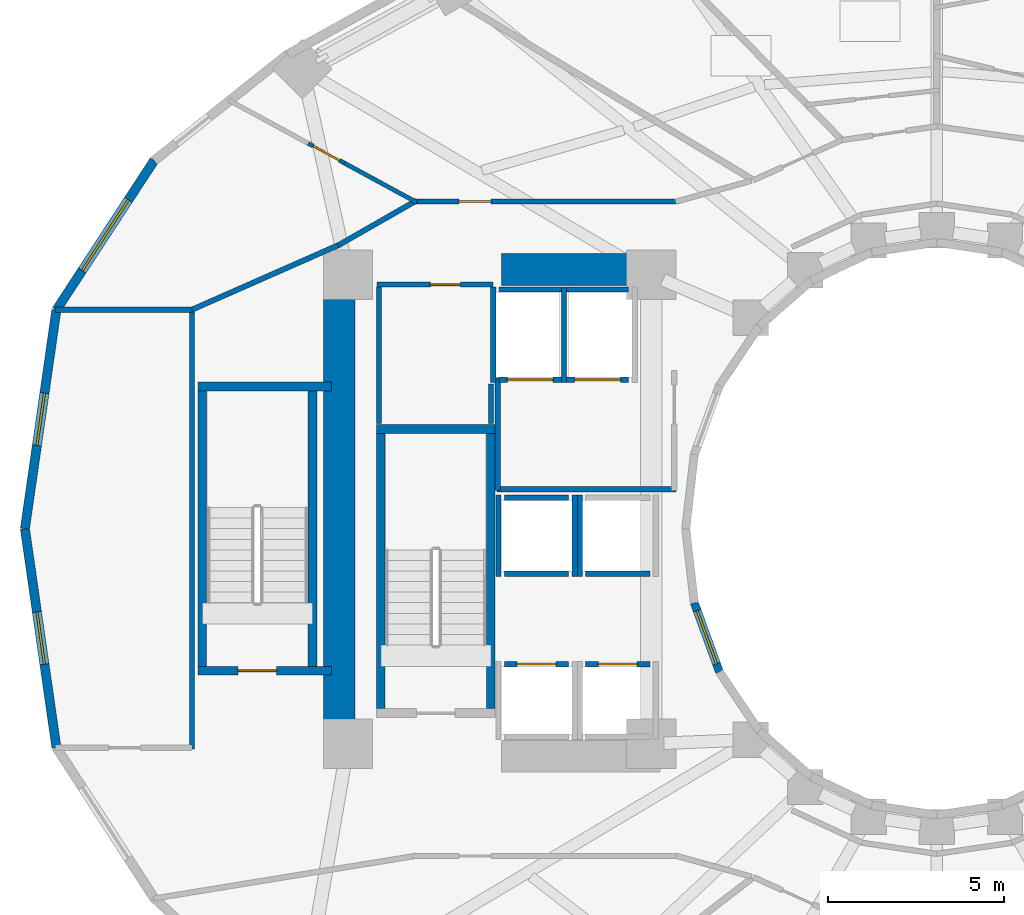
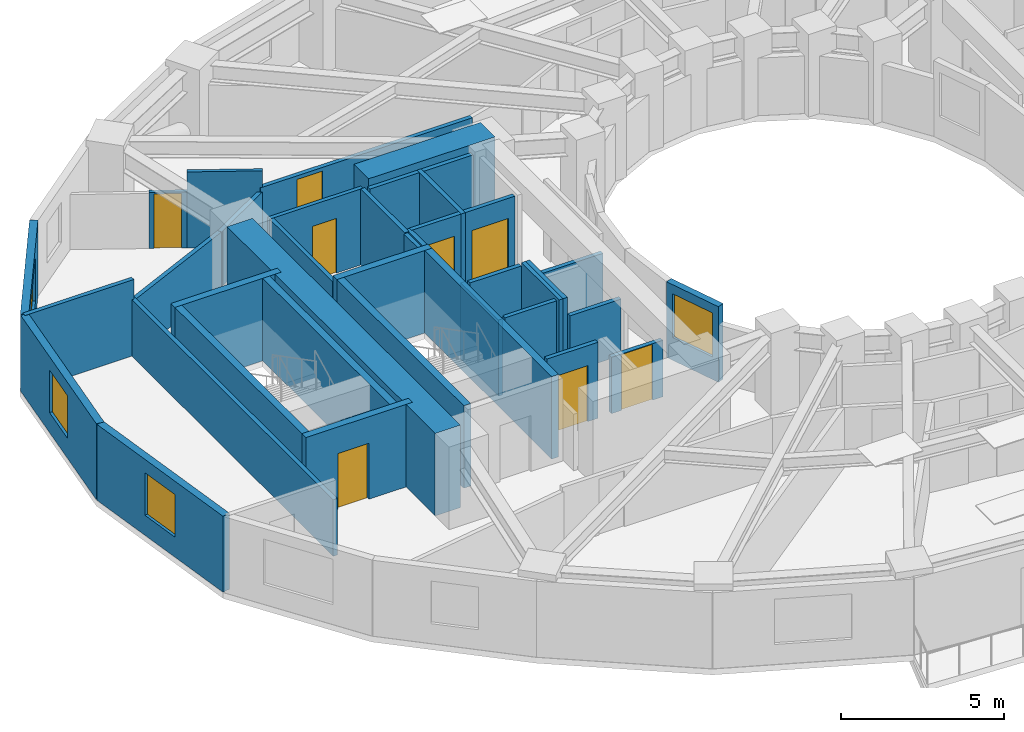
# One storey, part 4 of 10: 39 walls, 8 doors, 4 windows, 12 openings.
"""IFC4 building model written with IfcOpenShell, lengths in metres."""

from ifc_helpers import new_model, si_unit, direction, frame, frame_2d, origin, place, context, subcontext, project, spatial, rectangle, extrude, material, layer, layer_set, type_object, element, fill, save


model = new_model("IFC4")

# Units and contexts
model_context = context("Model", 3, precision=1e-05, world=origin(), true_north=direction((0.0, 1.0)))
body_context = subcontext(model_context, "Body", "Model", "MODEL_VIEW")
ifc_project = project(units=[si_unit("LENGTHUNIT", "METRE"), si_unit("AREAUNIT", "SQUARE_METRE"), si_unit("VOLUMEUNIT", "CUBIC_METRE"), si_unit("PLANEANGLEUNIT", "RADIAN"), si_unit("MASSUNIT", "GRAM", prefix="KILO")], contexts=[model_context])

# Site, building, storey
site_placement = place(None, origin())
site = spatial("IfcSite", under=ifc_project, at=site_placement, CompositionType="ELEMENT")
building_placement = place(site_placement, origin())
building = spatial("IfcBuilding", under=site, at=building_placement, Name="Solvane Sanctuary Tower", CompositionType="ELEMENT")
storey_placement = place(building_placement, frame((0.0, 0.0, 58.60009765625)))
storey = spatial("IfcBuildingStorey", under=building, at=storey_placement, Name="L17", CompositionType="ELEMENT", Elevation=58.60009765625)

# Walls
ifc_material_1 = material(Name="Concrete C70/85", Category="concrete")
ifc_layer_1 = layer(ifc_material_1, 0.89990234375, Name="Concrete C70/85")
ifc_layer_set_1 = layer_set([ifc_layer_1], Name="Concrete C70/85")
wall_type_1 = type_object("IfcWallType", Name="Wall W-CORE-900", PredefinedType="SHEAR", material=ifc_layer_set_1)
wall_1_placement = place(storey_placement, frame((15.050048828125, 17.050048828125, 0.0), z_axis=(0.0, 0.0, 1.0), x_axis=(0.0, 1.0, 0.0)))
element("IfcWall", 1, at=wall_1_placement, inside=storey, type_object=wall_type_1, Name="L17 Core Shear Wall WC-W", PredefinedType="SHEAR", context=body_context, shape_type="SweptSolid", body=[
    extrude(rectangle(XDim=12.800048828125, YDim=0.89990234375, at=frame_2d((6.39990234375, 0.0))), origin(), (0.0, 0.0, 1.0), 3.099853515625),
])
wall_2_placement = place(storey_placement, frame((19.64990234375, 30.35009765625, 0.0), z_axis=(0.0, 0.0, 1.0), x_axis=(1.0, 0.0, 0.0)))
element("IfcWall", 2, at=wall_2_placement, inside=storey, type_object=wall_type_1, Name="L17 Core Shear Wall WC-N", PredefinedType="SHEAR", context=body_context, shape_type="SweptSolid", body=[
    extrude(rectangle(XDim=4.5, YDim=0.89990234375, at=frame_2d((2.25, 0.0))), origin(), (0.0, 0.0, 1.0), 3.099853515625),
])
ifc_material_2 = material(Name="Acoustic Gypsum Partition Board")
ifc_layer_2 = layer(ifc_material_2, 0.14990234375, Name="Acoustic Gypsum Partition Board")
ifc_layer_set_2 = layer_set([ifc_layer_2], Name="Acoustic Gypsum Partition Board")
wall_type_2 = type_object("IfcWallType", Name="Wall W-CORR-150", PredefinedType="PARTITIONING", material=ifc_layer_set_2)
wall_3_placement = place(storey_placement, frame((19.52001953125, 24.1201171875, 0.0), z_axis=(0.0, 0.0, 1.0), x_axis=(1.0, 0.0, 0.0)))
element("IfcWall", 3, at=wall_3_placement, inside=storey, type_object=wall_type_2, Name="L17 West Firefighting Lobby South Wall", PredefinedType="PARTITIONING", context=body_context, shape_type="SweptSolid", body=[
    extrude(rectangle(XDim=5.080078125, YDim=0.14990234375, at=frame_2d((2.5400390625, 0.0))), origin(), (0.0, 0.0, 1.0), 2.119873046875),
])
wall_4_placement = place(storey_placement, frame((19.550048828125, 24.080078125, 0.0), z_axis=(0.0, 0.0, 1.0), x_axis=(0.0, 1.0, 0.0)))
element("IfcWall", 4, at=wall_4_placement, inside=storey, type_object=wall_type_2, Name="L17 West Firefighting Lobby West Wall", PredefinedType="PARTITIONING", context=body_context, shape_type="SweptSolid", body=[
    extrude(rectangle(XDim=3.199951171875, YDim=0.14990234375, at=frame_2d((1.60009765625, 0.0))), origin(), (0.0, 0.0, 1.0), 2.85498046875),
])
wall_5_placement = place(storey_placement, frame((10.8798828125, 16.748291015625, 0.0), z_axis=(0.0, 0.0, 1.0), x_axis=(0.0, 1.0, 0.0)))
element("IfcWall", 5, at=wall_5_placement, inside=storey, type_object=wall_type_2, Name="L17 West Shoulder Back Wall", PredefinedType="PARTITIONING", context=body_context, shape_type="SweptSolid", body=[
    extrude(rectangle(XDim=12.50341796875, YDim=0.14990234375, at=frame_2d((6.251708984375, 0.0))), origin(), (0.0, 0.0, 1.0), 2.119873046875),
])
wall_6_placement = place(storey_placement, frame((7.013671875, 29.211669921875, 0.0), z_axis=(0.0, 0.0, 1.0), x_axis=(1.0, 0.0, 0.0)))
element("IfcWall", 6, at=wall_6_placement, inside=storey, type_object=wall_type_2, Name="L17 West Shoulder North Wall", PredefinedType="PARTITIONING", context=body_context, shape_type="SweptSolid", body=[
    extrude(rectangle(XDim=3.8662109375, YDim=0.14990234375, at=frame_2d((1.93310546875, 0.0))), origin(), (0.0, 0.0, 1.0), 2.85498046875),
])
wall_7_placement = place(storey_placement, frame((10.843505859375, 29.195556640625, 0.0), z_axis=(0.0, 0.0, 1.0), x_axis=(0.91502756289, 0.403391322604, 0.0)))
element("IfcWall", 7, at=wall_7_placement, inside=storey, type_object=wall_type_2, Name="L17 NW Corner Closer 1", PredefinedType="PARTITIONING", context=body_context, shape_type="SweptSolid", body=[
    extrude(rectangle(XDim=4.63720703125, YDim=0.14990234375, at=frame_2d((2.318603515625, 0.0))), origin(), (0.0, 0.0, 1.0), 2.06884765625),
])

# Wall, opening, door
wall_8_placement = place(storey_placement, frame((17.14990234375, 32.280029296875, 0.0), z_axis=(0.0, 0.0, 1.0), x_axis=(1.0, 0.0, 0.0)))
wall_8 = element("IfcWall", 8, at=wall_8_placement, inside=storey, type_object=wall_type_2, Name="L17 NW Corner Corridor Wall", PredefinedType="PARTITIONING", context=body_context, shape_type="SweptSolid", body=[
    extrude(rectangle(XDim=7.52001953125, YDim=0.14990234375, at=frame_2d((3.760009765625, 0.0))), origin(), (0.0, 0.0, 1.0), 2.23681640625),
])
opening_1_placement = place(wall_8_placement, frame((1.300048828125, 0.0, 0.0)))
opening_1 = element("IfcOpeningElement", 9, at=opening_1_placement, cuts=wall_8, Name="Opening D-L17-16", PredefinedType="OPENING", context=body_context, shape_type="SweptSolid", body=[
    extrude(rectangle(XDim=0.89990234375, YDim=2.10009765625, at=frame_2d((0.449951171875, 1.050048828125))), frame((0.0, 0.0849609375, 0.0), z_axis=(0.0, -1.0, 0.0), x_axis=(1.0, 0.0, 0.0)), (0.0, 0.0, 1.0), 0.169921875),
])
ifc_material_3 = material(Name="Engineered Tropical Hardwood", Category="wood")
door_type_1 = type_object("IfcDoorType", Name="Door D-WET-900", OperationType="NOTDEFINED", PredefinedType="DOOR", material=ifc_material_3)
door_1_placement = place(opening_1_placement, origin())
door_1 = element("IfcDoor", 10, at=door_1_placement, inside=storey, type_object=door_type_1, Name="L17 NW Corner Salon Door", OperationType="SINGLE_SWING_LEFT", OverallHeight=2.10009765625, OverallWidth=0.89990234375, PredefinedType="DOOR", context=body_context, shape_type="SweptSolid", body=[
    extrude(rectangle(XDim=0.89990234375, YDim=2.10009765625, at=frame_2d((0.449951171875, 1.050048828125))), frame((0.0, 0.02490234375, 0.0), z_axis=(0.0, -1.0, 0.0), x_axis=(1.0, 0.0, 0.0)), (0.0, 0.0, 1.0), 0.050048828125),
])
fill(opening_1, door_1)

# Wall
wall_9_placement = place(storey_placement, frame((17.243408203125, 32.3046875, 0.0), z_axis=(0.0, 0.0, 1.0), x_axis=(-0.867991349648, -0.496579315857, 0.0)))
element("IfcWall", 11, at=wall_9_placement, inside=storey, type_object=wall_type_2, Name="L17 NW Corner Wing Wall", PredefinedType="PARTITIONING", context=body_context, shape_type="SweptSolid", body=[
    extrude(rectangle(XDim=2.56689453125, YDim=0.14990234375, at=frame_2d((1.283447265625, 0.0))), origin(), (0.0, 0.0, 1.0), 2.06884765625),
])

# Wall, opening, window
ifc_material_4 = material(Name="Precast concrete C40/50", Category="concrete")
ifc_layer_3 = layer(ifc_material_4, 0.260009765625, Name="Precast concrete C40/50")
ifc_layer_set_3 = layer_set([ifc_layer_3], Name="Precast concrete C40/50")
wall_type_3 = type_object("IfcWallType", Name="Wall W-EXT-250", PredefinedType="STANDARD", material=ifc_layer_set_3)
wall_10_placement = place(storey_placement, frame((9.80615234375, 33.44091796875, 0.0), z_axis=(0.0, 0.0, 1.0), x_axis=(-0.547702757047, -0.836672988642, 0.0)))
wall_10 = element("IfcWall", 12, at=wall_10_placement, inside=storey, type_object=wall_type_3, Name="L17 Ceramic-Printed Facade Wall 10", PredefinedType="STANDARD", context=body_context, shape_type="SweptSolid", body=[
    extrude(rectangle(XDim=5.0625, YDim=0.260009765625, at=frame_2d((2.53125, 0.0))), origin(), (0.0, 0.0, 1.0), 2.849853515625),
])
opening_2_placement = place(wall_10_placement, frame((1.331298828125, 0.0, 0.75)))
opening_2 = element("IfcOpeningElement", 13, at=opening_2_placement, cuts=wall_10, Name="Opening WN-RIB-2400", PredefinedType="OPENING", context=body_context, shape_type="SweptSolid", body=[
    extrude(rectangle(XDim=2.39990234375, YDim=1.699951171875, at=frame_2d((1.199951171875, 0.85009765625))), frame((0.0, 0.139892578125, 0.0), z_axis=(0.0, -1.0, 0.0), x_axis=(1.0, 0.0, 0.0)), (0.0, 0.0, 1.0), 0.280029296875),
])
ifc_material_5 = material(Name="Dark Ceramic-Fritted Low-E Glass", Category="glass")
window_type_1 = type_object("IfcWindowType", Name="Window WN-RIB-2400", PartitioningType="SINGLE_PANEL", PredefinedType="WINDOW", material=ifc_material_5)
window_1_placement = place(opening_2_placement, origin())
window_1 = element("IfcWindow", 14, at=window_1_placement, inside=storey, type_object=window_type_1, Name="L17 Operable Facade Window 10", OverallHeight=1.699951171875, OverallWidth=2.39990234375, PartitioningType="SINGLE_PANEL", PredefinedType="WINDOW", context=body_context, shape_type="SweptSolid", body=[
    extrude(rectangle(XDim=2.39990234375, YDim=1.699951171875, at=frame_2d((1.199951171875, 0.85009765625))), frame((0.0, 0.030029296875, 0.0), z_axis=(0.0, -1.0, 0.0), x_axis=(1.0, 0.0, 0.0)), (0.0, 0.0, 1.0), 0.06005859375),
])
fill(opening_2, window_1)

wall_11_placement = place(storey_placement, frame((7.033447265625, 29.205322265625, 0.0), z_axis=(0.0, 0.0, 1.0), x_axis=(-0.142528001686, -0.989790770181, 0.0)))
wall_11 = element("IfcWall", 15, at=wall_11_placement, inside=storey, type_object=wall_type_3, Name="L17 Ceramic-Printed Facade Wall 11", PredefinedType="STANDARD", context=body_context, shape_type="SweptSolid", body=[
    extrude(rectangle(XDim=6.269287109375, YDim=0.260009765625, at=frame_2d((3.134765625, 0.0))), origin(), (0.0, 0.0, 1.0), 2.849853515625),
])
opening_3_placement = place(wall_11_placement, frame((2.384521484375, 0.0, 0.75)))
opening_3 = element("IfcOpeningElement", 16, at=opening_3_placement, cuts=wall_11, Name="Opening WN-OPER-1500", PredefinedType="OPENING", context=body_context, shape_type="SweptSolid", body=[
    extrude(rectangle(XDim=1.5, YDim=1.60009765625, at=frame_2d((0.75, 0.800048828125))), frame((0.0, 0.139892578125, 0.0), z_axis=(0.0, -1.0, 0.0), x_axis=(1.0, 0.0, 0.0)), (0.0, 0.0, 1.0), 0.280029296875),
])
window_type_2 = type_object("IfcWindowType", Name="Window WN-OPER-1500", PartitioningType="SINGLE_PANEL", PredefinedType="WINDOW", material=ifc_material_5)
window_2_placement = place(opening_3_placement, origin())
window_2 = element("IfcWindow", 17, at=window_2_placement, inside=storey, type_object=window_type_2, Name="L17 Operable Facade Window 11", OverallHeight=1.60009765625, OverallWidth=1.5, PartitioningType="SINGLE_PANEL", PredefinedType="WINDOW", context=body_context, shape_type="SweptSolid", body=[
    extrude(rectangle(XDim=1.5, YDim=1.60009765625, at=frame_2d((0.75, 0.800048828125))), frame((0.0, 0.030029296875, 0.0), z_axis=(0.0, -1.0, 0.0), x_axis=(1.0, 0.0, 0.0)), (0.0, 0.0, 1.0), 0.06005859375),
])
fill(opening_3, window_2)

wall_12_placement = place(storey_placement, frame((6.139892578125, 23.0, 0.0), z_axis=(0.0, 0.0, 1.0), x_axis=(0.142528001686, -0.989790770181, 0.0)))
wall_12 = element("IfcWall", 18, at=wall_12_placement, inside=storey, type_object=wall_type_3, Name="L17 Ceramic-Printed Facade Wall 12", PredefinedType="STANDARD", context=body_context, shape_type="SweptSolid", body=[
    extrude(rectangle(XDim=6.269287109375, YDim=0.260009765625, at=frame_2d((3.134765625, 0.0))), origin(), (0.0, 0.0, 1.0), 2.849853515625),
])
opening_4_placement = place(wall_12_placement, frame((2.384521484375, 0.0, 0.75)))
opening_4 = element("IfcOpeningElement", 19, at=opening_4_placement, cuts=wall_12, Name="Opening WN-OPER-1500", PredefinedType="OPENING", context=body_context, shape_type="SweptSolid", body=[
    extrude(rectangle(XDim=1.5, YDim=1.60009765625, at=frame_2d((0.75, 0.800048828125))), frame((0.0, 0.139892578125, 0.0), z_axis=(0.0, -1.0, 0.0), x_axis=(1.0, 0.0, 0.0)), (0.0, 0.0, 1.0), 0.280029296875),
])
window_3_placement = place(opening_4_placement, origin())
window_3 = element("IfcWindow", 20, at=window_3_placement, inside=storey, type_object=window_type_2, Name="L17 Operable Facade Window 12", OverallHeight=1.60009765625, OverallWidth=1.5, PartitioningType="SINGLE_PANEL", PredefinedType="WINDOW", context=body_context, shape_type="SweptSolid", body=[
    extrude(rectangle(XDim=1.5, YDim=1.60009765625, at=frame_2d((0.75, 0.800048828125))), frame((0.0, 0.030029296875, 0.0), z_axis=(0.0, -1.0, 0.0), x_axis=(1.0, 0.0, 0.0)), (0.0, 0.0, 1.0), 0.06005859375),
])
fill(opening_4, window_3)

ifc_layer_4 = layer(ifc_material_4, 0.22998046875, Name="Precast concrete C40/50")
ifc_layer_set_4 = layer_set([ifc_layer_4], Name="Precast concrete C40/50")
wall_type_4 = type_object("IfcWallType", Name="Wall W-EXT-SP220", PredefinedType="STANDARD", material=ifc_layer_set_4)
wall_13_placement = place(storey_placement, frame((25.12255859375, 20.8984375, 0.0), z_axis=(0.0, 0.0, 1.0), x_axis=(0.341423187295, -0.93990968033, 0.0)))
wall_13 = element("IfcWall", 21, at=wall_13_placement, inside=storey, type_object=wall_type_4, Name="L17 Central Light-Well Wall 13", PredefinedType="STANDARD", context=body_context, shape_type="SweptSolid", body=[
    extrude(rectangle(XDim=2.083740234375, YDim=0.22998046875, at=frame_2d((1.0419921875, 0.0))), origin(), (0.0, 0.0, 1.0), 2.83984375),
])
opening_5_placement = place(wall_13_placement, frame((0.24169921875, 0.0, 0.85009765625)))
opening_5 = element("IfcOpeningElement", 22, at=opening_5_placement, cuts=wall_13, Name="Opening WN-WELL-1600", PredefinedType="OPENING", context=body_context, shape_type="SweptSolid", body=[
    extrude(rectangle(XDim=1.60009765625, YDim=1.64990234375, at=frame_2d((0.800048828125, 0.824951171875))), frame((0.0, 0.125, 0.0), z_axis=(0.0, -1.0, 0.0), x_axis=(1.0, 0.0, 0.0)), (0.0, 0.0, 1.0), 0.25),
])
ifc_material_6 = material(Name="Clear Laminated Light-Well Glass", Category="glass")
window_type_3 = type_object("IfcWindowType", Name="Window WN-WELL-1600", PartitioningType="SINGLE_PANEL", PredefinedType="WINDOW", material=ifc_material_6)
window_4_placement = place(opening_5_placement, origin())
window_4 = element("IfcWindow", 23, at=window_4_placement, inside=storey, type_object=window_type_3, Name="L17 Light-Well Daylight Window 13", OverallHeight=1.64990234375, OverallWidth=1.60009765625, PartitioningType="SINGLE_PANEL", PredefinedType="WINDOW", context=body_context, shape_type="SweptSolid", body=[
    extrude(rectangle(XDim=1.60009765625, YDim=1.64990234375, at=frame_2d((0.800048828125, 0.824951171875))), frame((0.0, 0.030029296875, 0.0), z_axis=(0.0, -1.0, 0.0), x_axis=(1.0, 0.0, 0.0)), (0.0, 0.0, 1.0), 0.06005859375),
])
fill(opening_5, window_4)

# Wall
ifc_layer_5 = layer(ifc_material_2, 0.1201171875, Name="Acoustic Gypsum Partition Board")
ifc_layer_set_5 = layer_set([ifc_layer_5], Name="Acoustic Gypsum Partition Board")
wall_type_5 = type_object("IfcWallType", Name="Wall W-MOV-100", PredefinedType="MOVABLE", material=ifc_layer_set_5)
wall_14_placement = place(storey_placement, frame((17.243896484375, 32.256103515625, 0.0), z_axis=(0.0, 0.0, 1.0), x_axis=(-0.878580476603, 0.477594332181, 0.0)))
element("IfcWall", 24, at=wall_14_placement, inside=storey, type_object=wall_type_5, Name="L17 NW Corner Suite Partition", PredefinedType="MOVABLE", context=body_context, shape_type="SweptSolid", body=[
    extrude(rectangle(XDim=2.326416015625, YDim=0.1201171875, at=frame_2d((1.1630859375, 0.0))), origin(), (0.0, 0.0, 1.0), 2.85498046875),
])

# Wall, opening, door
wall_15_placement = place(storey_placement, frame((15.199951171875, 33.3671875, 0.0), z_axis=(0.0, 0.0, 1.0), x_axis=(-0.878540750178, 0.4776674055, 0.0)))
wall_15 = element("IfcWall", 25, at=wall_15_placement, inside=storey, type_object=wall_type_5, Name="L17 NW Corner Suite Partition", PredefinedType="MOVABLE", context=body_context, shape_type="SweptSolid", body=[
    extrude(rectangle(XDim=1.169921875, YDim=0.1201171875, at=frame_2d((0.5849609375, 0.0))), origin(), (0.0, 0.0, 1.0), 2.10986328125),
])
opening_6_placement = place(wall_15_placement, frame((0.159912109375, 0.0, 0.0)))
opening_6 = element("IfcOpeningElement", 26, at=opening_6_placement, cuts=wall_15, Name="Opening D-L17-15", PredefinedType="OPENING", context=body_context, shape_type="SweptSolid", body=[
    extrude(rectangle(XDim=0.85009765625, YDim=2.050048828125, at=frame_2d((0.425048828125, 1.02490234375))), frame((0.0, 0.070068359375, 0.0), z_axis=(0.0, -1.0, 0.0), x_axis=(1.0, 0.0, 0.0)), (0.0, 0.0, 1.0), 0.14013671875),
])
ifc_material_7 = material(Name="Architectural Stainless Steel 316", Category="steel")
door_type_2 = type_object("IfcDoorType", Name="Door D-RISER", OperationType="NOTDEFINED", PredefinedType="DOOR", material=ifc_material_7)
door_2_placement = place(opening_6_placement, origin())
door_2 = element("IfcDoor", 27, at=door_2_placement, inside=storey, type_object=door_type_2, Name="L17 NW Corner Suite Door", OperationType="SINGLE_SWING_RIGHT", OverallHeight=2.050048828125, OverallWidth=0.85009765625, PredefinedType="DOOR", context=body_context, shape_type="SweptSolid", body=[
    extrude(rectangle(XDim=0.85009765625, YDim=2.050048828125, at=frame_2d((0.425048828125, 1.02490234375))), frame((0.0, 0.02490234375, 0.0), z_axis=(0.0, -1.0, 0.0), x_axis=(1.0, 0.0, 0.0)), (0.0, 0.0, 1.0), 0.050048828125),
])
fill(opening_6, door_2)

ifc_material_8 = material(Name="Concrete C50/60", Category="concrete")
ifc_layer_6 = layer(ifc_material_8, 0.14990234375, Name="Concrete C50/60")
ifc_layer_set_6 = layer_set([ifc_layer_6], Name="Concrete C50/60")
wall_type_6 = type_object("IfcWallType", Name="Wall W-SHAFT-150", PredefinedType="SOLIDWALL", material=ifc_layer_set_6)
wall_16_placement = place(storey_placement, frame((19.739990234375, 19.159912109375, 0.0), z_axis=(0.0, 0.0, 1.0), x_axis=(1.0, 0.0, 0.0)))
wall_16 = element("IfcWall", 28, at=wall_16_placement, inside=storey, type_object=wall_type_6, Name="L17 PL-1 Lift Shaft Wall F", PredefinedType="SOLIDWALL", context=body_context, shape_type="SweptSolid", body=[
    extrude(rectangle(XDim=1.820068359375, YDim=0.14990234375, at=frame_2d((0.91015625, 0.0))), origin(), (0.0, 0.0, 1.0), 2.85498046875),
])
opening_7_placement = place(wall_16_placement, frame((0.360107421875, 0.0, 0.0)))
opening_7 = element("IfcOpeningElement", 29, at=opening_7_placement, cuts=wall_16, Name="Opening LD-L17-01", PredefinedType="OPENING", context=body_context, shape_type="SweptSolid", body=[
    extrude(rectangle(XDim=1.10009765625, YDim=2.10009765625, at=frame_2d((0.550048828125, 1.050048828125))), frame((0.0, 0.0849609375, 0.0), z_axis=(0.0, -1.0, 0.0), x_axis=(1.0, 0.0, 0.0)), (0.0, 0.0, 1.0), 0.169921875),
])
door_type_3 = type_object("IfcDoorType", Name="Door LD-PASS-1100", OperationType="NOTDEFINED", PredefinedType="DOOR", material=ifc_material_7)
door_3_placement = place(opening_7_placement, origin())
door_3 = element("IfcDoor", 30, at=door_3_placement, inside=storey, type_object=door_type_3, Name="L17 PL-1 Lift Landing Door", OperationType="DOUBLE_DOOR_SLIDING", OverallHeight=2.10009765625, OverallWidth=1.10009765625, PredefinedType="DOOR", context=body_context, shape_type="SweptSolid", body=[
    extrude(rectangle(XDim=1.10009765625, YDim=2.10009765625, at=frame_2d((0.550048828125, 1.050048828125))), frame((0.0, 0.02490234375, 0.0), z_axis=(0.0, -1.0, 0.0), x_axis=(1.0, 0.0, 0.0)), (0.0, 0.0, 1.0), 0.050048828125),
])
fill(opening_7, door_3)

wall_17_placement = place(storey_placement, frame((22.0400390625, 19.159912109375, 0.0), z_axis=(0.0, 0.0, 1.0), x_axis=(1.0, 0.0, 0.0)))
wall_17 = element("IfcWall", 31, at=wall_17_placement, inside=storey, type_object=wall_type_6, Name="L17 PL-2 Lift Shaft Wall F", PredefinedType="SOLIDWALL", context=body_context, shape_type="SweptSolid", body=[
    extrude(rectangle(XDim=1.820068359375, YDim=0.14990234375, at=frame_2d((0.91015625, 0.0))), origin(), (0.0, 0.0, 1.0), 2.119873046875),
])
opening_8_placement = place(wall_17_placement, frame((0.360107421875, 0.0, 0.0)))
opening_8 = element("IfcOpeningElement", 32, at=opening_8_placement, cuts=wall_17, Name="Opening LD-L17-02", PredefinedType="OPENING", context=body_context, shape_type="SweptSolid", body=[
    extrude(rectangle(XDim=1.10009765625, YDim=2.10009765625, at=frame_2d((0.550048828125, 1.050048828125))), frame((0.0, 0.0849609375, 0.0), z_axis=(0.0, -1.0, 0.0), x_axis=(1.0, 0.0, 0.0)), (0.0, 0.0, 1.0), 0.169921875),
])
door_4_placement = place(opening_8_placement, origin())
door_4 = element("IfcDoor", 33, at=door_4_placement, inside=storey, type_object=door_type_3, Name="L17 PL-2 Lift Landing Door", OperationType="DOUBLE_DOOR_SLIDING", OverallHeight=2.10009765625, OverallWidth=1.10009765625, PredefinedType="DOOR", context=body_context, shape_type="SweptSolid", body=[
    extrude(rectangle(XDim=1.10009765625, YDim=2.10009765625, at=frame_2d((0.550048828125, 1.050048828125))), frame((0.0, 0.02490234375, 0.0), z_axis=(0.0, -1.0, 0.0), x_axis=(1.0, 0.0, 0.0)), (0.0, 0.0, 1.0), 0.050048828125),
])
fill(opening_8, door_4)

# Walls
for number, where, z_axis, x_axis, name in (
    (34, (19.739990234375, 21.719970703125, 0.0), (0.0, 0.0, 1.0), (1.0, 0.0, 0.0), "L17 PM-1 Lift Shaft Wall F"),
    (35, (19.739990234375, 23.8798828125, 0.0), (0.0, 0.0, 1.0), (1.0, 0.0, 0.0), "L17 PM-1 Lift Shaft Wall B"),
):
    element("IfcWall", number, at=place(storey_placement, frame(where, z_axis=z_axis, x_axis=x_axis)), inside=storey, type_object=wall_type_6, Name=name, PredefinedType="SOLIDWALL", context=body_context, shape_type="SweptSolid", body=[
        extrude(rectangle(XDim=1.820068359375, YDim=0.14990234375, at=frame_2d((0.91015625, 0.0))), origin(), (0.0, 0.0, 1.0), 2.85498046875),
    ])
for number, where, z_axis, x_axis, name in (
    (36, (19.570068359375, 21.639892578125, 0.0), (0.0, 0.0, 1.0), (0.0, 1.0, 0.0), "L17 PM-1 Lift Shaft Wall S1"),
    (37, (21.72998046875, 21.639892578125, 0.0), (0.0, 0.0, 1.0), (0.0, 1.0, 0.0), "L17 PM-1 Lift Shaft Wall S2"),
):
    element("IfcWall", number, at=place(storey_placement, frame(where, z_axis=z_axis, x_axis=x_axis)), inside=storey, type_object=wall_type_6, Name=name, PredefinedType="SOLIDWALL", context=body_context, shape_type="SweptSolid", body=[
        extrude(rectangle(XDim=2.320068359375, YDim=0.14990234375, at=frame_2d((1.16015625, 0.0))), origin(), (0.0, 0.0, 1.0), 2.85498046875),
    ])
wall_18_placement = place(storey_placement, frame((22.0400390625, 21.719970703125, 0.0), z_axis=(0.0, 0.0, 1.0), x_axis=(1.0, 0.0, 0.0)))
element("IfcWall", 38, at=wall_18_placement, inside=storey, type_object=wall_type_6, Name="L17 PH-1 Lift Shaft Wall F", PredefinedType="SOLIDWALL", context=body_context, shape_type="SweptSolid", body=[
    extrude(rectangle(XDim=1.820068359375, YDim=0.14990234375, at=frame_2d((0.91015625, 0.0))), origin(), (0.0, 0.0, 1.0), 2.119873046875),
])
wall_19_placement = place(storey_placement, frame((21.8701171875, 21.639892578125, 0.0), z_axis=(0.0, 0.0, 1.0), x_axis=(0.0, 1.0, 0.0)))
element("IfcWall", 39, at=wall_19_placement, inside=storey, type_object=wall_type_6, Name="L17 PH-1 Lift Shaft Wall S1", PredefinedType="SOLIDWALL", context=body_context, shape_type="SweptSolid", body=[
    extrude(rectangle(XDim=2.320068359375, YDim=0.14990234375, at=frame_2d((1.16015625, 0.0))), origin(), (0.0, 0.0, 1.0), 2.85498046875),
])

# Wall, opening, door
wall_20_placement = place(storey_placement, frame((19.590087890625, 27.219970703125, 0.0), z_axis=(0.0, 0.0, 1.0), x_axis=(1.0, 0.0, 0.0)))
wall_20 = element("IfcWall", 40, at=wall_20_placement, inside=storey, type_object=wall_type_6, Name="L17 FFL-1 Lift Shaft Wall F", PredefinedType="SOLIDWALL", context=body_context, shape_type="SweptSolid", body=[
    extrude(rectangle(XDim=1.760009765625, YDim=0.14990234375, at=frame_2d((0.8798828125, 0.0))), origin(), (0.0, 0.0, 1.0), 2.85498046875),
])
opening_9_placement = place(wall_20_placement, frame((0.22998046875, 0.0, 0.0)))
opening_9 = element("IfcOpeningElement", 41, at=opening_9_placement, cuts=wall_20, Name="Opening LD-L17-05", PredefinedType="OPENING", context=body_context, shape_type="SweptSolid", body=[
    extrude(rectangle(XDim=1.300048828125, YDim=2.10009765625, at=frame_2d((0.64990234375, 1.050048828125))), frame((0.0, 0.0849609375, 0.0), z_axis=(0.0, -1.0, 0.0), x_axis=(1.0, 0.0, 0.0)), (0.0, 0.0, 1.0), 0.169921875),
])
door_type_4 = type_object("IfcDoorType", Name="Door LD-FFL-1300", OperationType="NOTDEFINED", PredefinedType="DOOR", material=ifc_material_7)
door_5_placement = place(opening_9_placement, origin())
door_5 = element("IfcDoor", 42, at=door_5_placement, inside=storey, type_object=door_type_4, Name="L17 FFL-1 Lift Landing Door", OperationType="DOUBLE_DOOR_SLIDING", OverallHeight=2.10009765625, OverallWidth=1.300048828125, PredefinedType="DOOR", context=body_context, shape_type="SweptSolid", body=[
    extrude(rectangle(XDim=1.300048828125, YDim=2.10009765625, at=frame_2d((0.64990234375, 1.050048828125))), frame((0.0, 0.02490234375, 0.0), z_axis=(0.0, -1.0, 0.0), x_axis=(1.0, 0.0, 0.0)), (0.0, 0.0, 1.0), 0.050048828125),
])
fill(opening_9, door_5)

# Walls
wall_21_placement = place(storey_placement, frame((19.590087890625, 29.780029296875, 0.0), z_axis=(0.0, 0.0, 1.0), x_axis=(1.0, 0.0, 0.0)))
element("IfcWall", 43, at=wall_21_placement, inside=storey, type_object=wall_type_6, Name="L17 FFL-1 Lift Shaft Wall B", PredefinedType="SOLIDWALL", context=body_context, shape_type="SweptSolid", body=[
    extrude(rectangle(XDim=1.760009765625, YDim=0.14990234375, at=frame_2d((0.8798828125, 0.0))), origin(), (0.0, 0.0, 1.0), 2.85498046875),
])
for number, where, z_axis, x_axis, name in (
    (44, (19.419921875, 27.139892578125, 0.0), (0.0, 0.0, 1.0), (0.0, 1.0, 0.0), "L17 FFL-1 Lift Shaft Wall S1"),
    (45, (21.425048828125, 27.139892578125, 0.0), (0.0, 0.0, 1.0), (0.0, 1.0, 0.0), "L17 FFL-1 Lift Shaft Wall S2"),
):
    element("IfcWall", number, at=place(storey_placement, frame(where, z_axis=z_axis, x_axis=x_axis)), inside=storey, type_object=wall_type_6, Name=name, PredefinedType="SOLIDWALL", context=body_context, shape_type="SweptSolid", body=[
        extrude(rectangle(XDim=2.72021484375, YDim=0.14990234375, at=frame_2d((1.360107421875, 0.0))), origin(), (0.0, 0.0, 1.0), 2.85498046875),
    ])

# Wall, opening, door
wall_22_placement = place(storey_placement, frame((21.5, 27.219970703125, 0.0), z_axis=(0.0, 0.0, 1.0), x_axis=(1.0, 0.0, 0.0)))
wall_22 = element("IfcWall", 46, at=wall_22_placement, inside=storey, type_object=wall_type_6, Name="L17 SVL-1 Lift Shaft Wall F", PredefinedType="SOLIDWALL", context=body_context, shape_type="SweptSolid", body=[
    extrude(rectangle(XDim=1.760009765625, YDim=0.14990234375, at=frame_2d((0.8798828125, 0.0))), origin(), (0.0, 0.0, 1.0), 2.85498046875),
])
opening_10_placement = place(wall_22_placement, frame((0.22998046875, 0.0, 0.0)))
opening_10 = element("IfcOpeningElement", 47, at=opening_10_placement, cuts=wall_22, Name="Opening LD-L17-06", PredefinedType="OPENING", context=body_context, shape_type="SweptSolid", body=[
    extrude(rectangle(XDim=1.300048828125, YDim=2.10009765625, at=frame_2d((0.64990234375, 1.050048828125))), frame((0.0, 0.0849609375, 0.0), z_axis=(0.0, -1.0, 0.0), x_axis=(1.0, 0.0, 0.0)), (0.0, 0.0, 1.0), 0.169921875),
])
door_6_placement = place(opening_10_placement, origin())
door_6 = element("IfcDoor", 48, at=door_6_placement, inside=storey, type_object=door_type_4, Name="L17 SVL-1 Lift Landing Door", OperationType="DOUBLE_DOOR_SLIDING", OverallHeight=2.10009765625, OverallWidth=1.300048828125, PredefinedType="DOOR", context=body_context, shape_type="SweptSolid", body=[
    extrude(rectangle(XDim=1.300048828125, YDim=2.10009765625, at=frame_2d((0.64990234375, 1.050048828125))), frame((0.0, 0.02490234375, 0.0), z_axis=(0.0, -1.0, 0.0), x_axis=(1.0, 0.0, 0.0)), (0.0, 0.0, 1.0), 0.050048828125),
])
fill(opening_10, door_6)

# Walls
wall_23_placement = place(storey_placement, frame((21.5, 29.780029296875, 0.0), z_axis=(0.0, 0.0, 1.0), x_axis=(1.0, 0.0, 0.0)))
element("IfcWall", 49, at=wall_23_placement, inside=storey, type_object=wall_type_6, Name="L17 SVL-1 Lift Shaft Wall B", PredefinedType="SOLIDWALL", context=body_context, shape_type="SweptSolid", body=[
    extrude(rectangle(XDim=1.760009765625, YDim=0.14990234375, at=frame_2d((0.8798828125, 0.0))), origin(), (0.0, 0.0, 1.0), 2.85498046875),
])
ifc_layer_7 = layer(ifc_material_8, 0.25, Name="Concrete C50/60")
ifc_layer_set_7 = layer_set([ifc_layer_7], Name="Concrete C50/60")
wall_type_7 = type_object("IfcWallType", Name="Wall W-SHAFT-250", PredefinedType="SOLIDWALL", material=ifc_layer_set_7)
wall_24_placement = place(storey_placement, frame((16.10498046875, 25.830078125, 0.0), z_axis=(0.0, 0.0, 1.0), x_axis=(1.0, 0.0, 0.0)))
element("IfcWall", 50, at=wall_24_placement, inside=storey, type_object=wall_type_7, Name="L17 ST-1 Load-Bearing Shaft Wall N", PredefinedType="SOLIDWALL", context=body_context, shape_type="SweptSolid", body=[
    extrude(rectangle(XDim=3.3701171875, YDim=0.25, at=frame_2d((1.68505859375, 0.0))), origin(), (0.0, 0.0, 1.0), 3.099853515625),
])
for number, where, z_axis, x_axis, name in (
    (51, (16.22998046875, 17.89501953125, 0.0), (0.0, 0.0, 1.0), (0.0, 1.0, 0.0), "L17 ST-1 Load-Bearing Shaft Wall W"),
    (52, (19.35009765625, 17.89501953125, 0.0), (0.0, 0.0, 1.0), (0.0, 1.0, 0.0), "L17 ST-1 Load-Bearing Shaft Wall E"),
):
    element("IfcWall", number, at=place(storey_placement, frame(where, z_axis=z_axis, x_axis=x_axis)), inside=storey, type_object=wall_type_7, Name=name, PredefinedType="SOLIDWALL", context=body_context, shape_type="SweptSolid", body=[
        extrude(rectangle(XDim=7.81005859375, YDim=0.25, at=frame_2d((3.905029296875, 0.0))), origin(), (0.0, 0.0, 1.0), 3.099853515625),
    ])

# Wall, opening, door
wall_25_placement = place(storey_placement, frame((11.044921875, 18.969970703125, 0.0), z_axis=(0.0, 0.0, 1.0), x_axis=(1.0, 0.0, 0.0)))
wall_25 = element("IfcWall", 53, at=wall_25_placement, inside=storey, type_object=wall_type_7, Name="L17 ST-3 Load-Bearing Shaft Wall S", PredefinedType="SOLIDWALL", context=body_context, shape_type="SweptSolid", body=[
    extrude(rectangle(XDim=3.781982421875, YDim=0.25, at=frame_2d((1.89111328125, 0.0))), origin(), (0.0, 0.0, 1.0), 3.099853515625),
])
opening_11_placement = place(wall_25_placement, frame((1.135009765625, 0.0, 0.0)))
opening_11 = element("IfcOpeningElement", 54, at=opening_11_placement, cuts=wall_25, Name="Opening D-L17-05", PredefinedType="OPENING", context=body_context, shape_type="SweptSolid", body=[
    extrude(rectangle(XDim=1.10009765625, YDim=2.10009765625, at=frame_2d((0.550048828125, 1.050048828125))), frame((0.0, 0.135009765625, 0.0), z_axis=(0.0, -1.0, 0.0), x_axis=(1.0, 0.0, 0.0)), (0.0, 0.0, 1.0), 0.27001953125),
])
door_type_5 = type_object("IfcDoorType", Name="Door D-STAIR", OperationType="NOTDEFINED", PredefinedType="DOOR", material=ifc_material_7)
door_7_placement = place(opening_11_placement, origin())
door_7 = element("IfcDoor", 55, at=door_7_placement, inside=storey, type_object=door_type_5, Name="L17 ST-3 Exit Stair Fire Door", OperationType="SINGLE_SWING_LEFT", OverallHeight=2.10009765625, OverallWidth=1.10009765625, PredefinedType="DOOR", context=body_context, shape_type="SweptSolid", body=[
    extrude(rectangle(XDim=1.10009765625, YDim=2.10009765625, at=frame_2d((0.550048828125, 1.050048828125))), frame((0.0, 0.02490234375, 0.0), z_axis=(0.0, -1.0, 0.0), x_axis=(1.0, 0.0, 0.0)), (0.0, 0.0, 1.0), 0.050048828125),
])
fill(opening_11, door_7)

# Walls
wall_26_placement = place(storey_placement, frame((11.044921875, 27.030029296875, 0.0), z_axis=(0.0, 0.0, 1.0), x_axis=(1.0, 0.0, 0.0)))
element("IfcWall", 56, at=wall_26_placement, inside=storey, type_object=wall_type_7, Name="L17 ST-3 Load-Bearing Shaft Wall N", PredefinedType="SOLIDWALL", context=body_context, shape_type="SweptSolid", body=[
    extrude(rectangle(XDim=3.781982421875, YDim=0.25, at=frame_2d((1.89111328125, 0.0))), origin(), (0.0, 0.0, 1.0), 3.099853515625),
])
for number, where, z_axis, x_axis, name in (
    (57, (11.169921875, 19.094970703125, 0.0), (0.0, 0.0, 1.0), (0.0, 1.0, 0.0), "L17 ST-3 Load-Bearing Shaft Wall W"),
    (58, (14.2900390625, 19.094970703125, 0.0), (0.0, 0.0, 1.0), (0.0, 1.0, 0.0), "L17 ST-3 Load-Bearing Shaft Wall E"),
):
    element("IfcWall", number, at=place(storey_placement, frame(where, z_axis=z_axis, x_axis=x_axis)), inside=storey, type_object=wall_type_7, Name=name, PredefinedType="SOLIDWALL", context=body_context, shape_type="SweptSolid", body=[
        extrude(rectangle(XDim=7.81005859375, YDim=0.25, at=frame_2d((3.905029296875, 0.0))), origin(), (0.0, 0.0, 1.0), 3.099853515625),
    ])

# Wall, opening, door
ifc_layer_8 = layer(ifc_material_2, 0.139892578125, Name="Acoustic Gypsum Partition Board")
ifc_layer_set_8 = layer_set([ifc_layer_8], Name="Acoustic Gypsum Partition Board")
wall_type_8 = type_object("IfcWallType", Name="Wall W-WET-140", PredefinedType="PLUMBINGWALL", material=ifc_layer_set_8)
wall_27_placement = place(storey_placement, frame((16.1201171875, 29.919921875, 0.0), z_axis=(0.0, 0.0, 1.0), x_axis=(1.0, 0.0, 0.0)))
wall_27 = element("IfcWall", 59, at=wall_27_placement, inside=storey, type_object=wall_type_8, Name="L17 Core Service Front Wall KW0", PredefinedType="PLUMBINGWALL", context=body_context, shape_type="SweptSolid", body=[
    extrude(rectangle(XDim=3.2998046875, YDim=0.139892578125, at=frame_2d((1.64990234375, 0.0))), origin(), (0.0, 0.0, 1.0), 2.85498046875),
])
opening_12_placement = place(wall_27_placement, frame((1.515869140625, 0.0, 0.0)))
opening_12 = element("IfcOpeningElement", 60, at=opening_12_placement, cuts=wall_27, Name="Opening D-L17-08", PredefinedType="OPENING", context=body_context, shape_type="SweptSolid", body=[
    extrude(rectangle(XDim=0.85009765625, YDim=2.050048828125, at=frame_2d((0.425048828125, 1.02490234375))), frame((0.0, 0.079833984375, 0.0), z_axis=(0.0, -1.0, 0.0), x_axis=(1.0, 0.0, 0.0)), (0.0, 0.0, 1.0), 0.159912109375),
])
door_8_placement = place(opening_12_placement, origin())
door_8 = element("IfcDoor", 61, at=door_8_placement, inside=storey, type_object=door_type_2, Name="L17 Core Service Room Door KW0-1", OperationType="SINGLE_SWING_LEFT", OverallHeight=2.050048828125, OverallWidth=0.85009765625, PredefinedType="DOOR", context=body_context, shape_type="SweptSolid", body=[
    extrude(rectangle(XDim=0.85009765625, YDim=2.050048828125, at=frame_2d((0.425048828125, 1.02490234375))), frame((0.0, 0.02490234375, 0.0), z_axis=(0.0, -1.0, 0.0), x_axis=(1.0, 0.0, 0.0)), (0.0, 0.0, 1.0), 0.050048828125),
])
fill(opening_12, door_8)

# Walls
wall_28_placement = place(storey_placement, frame((16.179931640625, 25.97998046875, 0.0), z_axis=(0.0, 0.0, 1.0), x_axis=(0.0, 1.0, 0.0)))
element("IfcWall", 62, at=wall_28_placement, inside=storey, type_object=wall_type_8, Name="L17 Core Service Side Wall KW0-1", PredefinedType="PLUMBINGWALL", context=body_context, shape_type="SweptSolid", body=[
    extrude(rectangle(XDim=3.880126953125, YDim=0.139892578125, at=frame_2d((1.93994140625, 0.0))), origin(), (0.0, 0.0, 1.0), 2.85498046875),
])
wall_29_placement = place(storey_placement, frame((19.360107421875, 25.97998046875, 0.0), z_axis=(0.0, 0.0, 1.0), x_axis=(0.0, 1.0, 0.0)))
element("IfcWall", 63, at=wall_29_placement, inside=storey, type_object=wall_type_8, Name="L17 Core Service Side Wall KW0-2", PredefinedType="PLUMBINGWALL", context=body_context, shape_type="SweptSolid", body=[
    extrude(rectangle(XDim=1.1201171875, YDim=0.139892578125, at=frame_2d((0.56005859375, 0.0))), origin(), (0.0, 0.0, 1.0), 2.85498046875),
])

save(model, "model.ifc")
